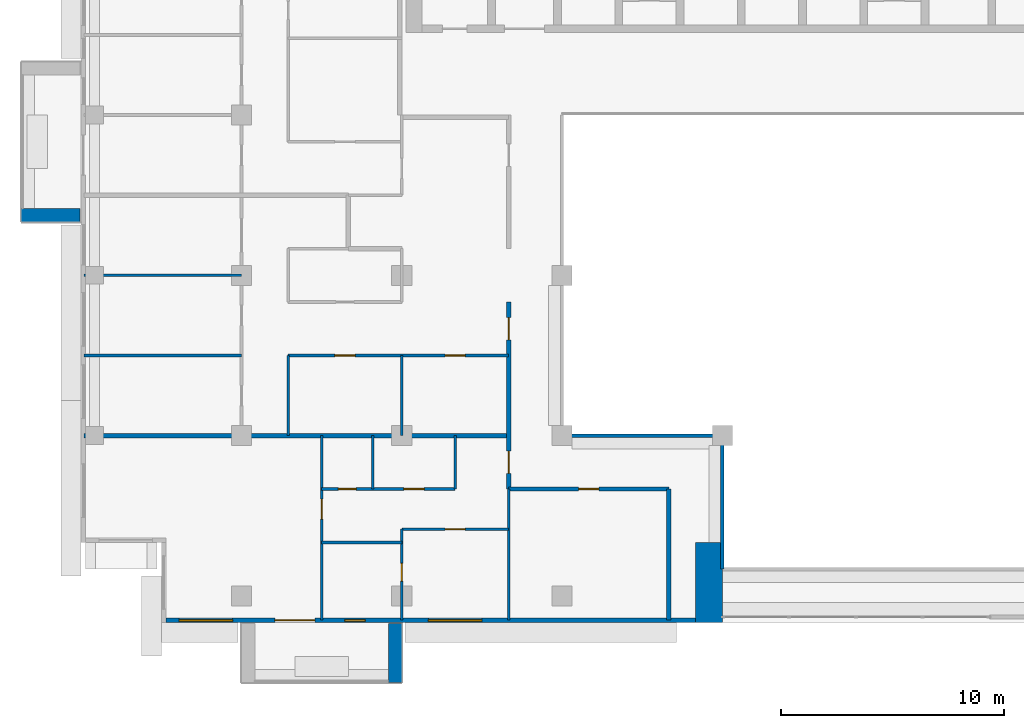
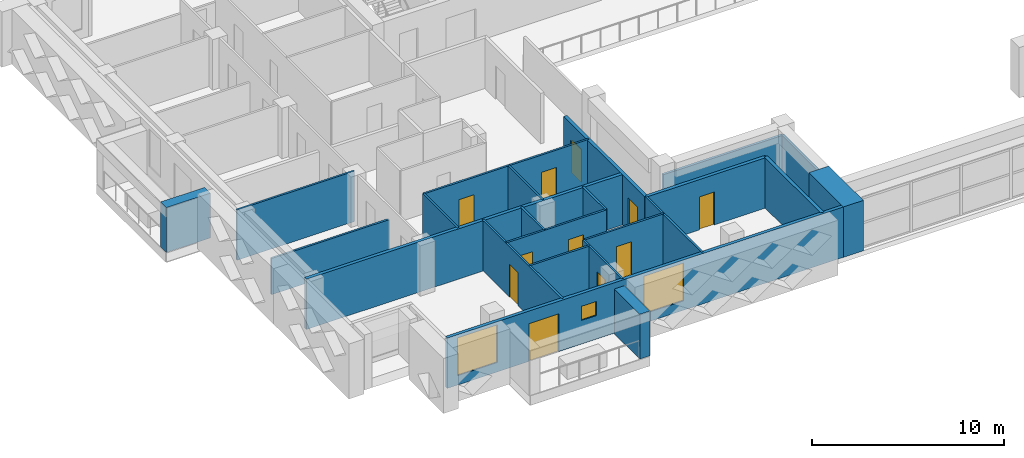
# One storey, part 6 of 20: 23 walls, 11 doors, 3 windows, 14 openings.
"""IFC4 building model written with IfcOpenShell, lengths in metres."""

from ifc_helpers import new_model, si_unit, direction, frame, frame_2d, origin, place, context, subcontext, project, spatial, rectangle, extrude, material, layer, layer_set, type_object, element, fill, save


model = new_model("IFC4")

# Units and contexts
model_context = context("Model", 3, precision=1e-05, world=origin(), true_north=direction((0.0, 1.0)))
body_context = subcontext(model_context, "Body", "Model", "MODEL_VIEW")
ifc_project = project(units=[si_unit("LENGTHUNIT", "METRE"), si_unit("AREAUNIT", "SQUARE_METRE"), si_unit("VOLUMEUNIT", "CUBIC_METRE"), si_unit("PLANEANGLEUNIT", "RADIAN"), si_unit("MASSUNIT", "GRAM", prefix="KILO")], contexts=[model_context])

# Site, building, storey
site_placement = place(None, origin())
site = spatial("IfcSite", under=ifc_project, at=site_placement, CompositionType="ELEMENT")
building_placement = place(site_placement, origin())
building = spatial("IfcBuilding", under=site, at=building_placement, Name="Saffron Iwan Residences", CompositionType="ELEMENT")
storey_placement = place(building_placement, frame((0.0, 0.0, 188.5)))
storey = spatial("IfcBuildingStorey", under=building, at=storey_placement, Name="L50", CompositionType="ELEMENT", Elevation=188.5)

# Walls
ifc_material_1 = material(Name="Fire-rated glazing", Category="glass")
ifc_layer_1 = layer(ifc_material_1, 0.14990234375)
ifc_layer_set_1 = layer_set([ifc_layer_1], Name="Fire-rated glazing")
wall_type_1 = type_object("IfcWallType", Name="Atrium glazed screen 150", PredefinedType="SOLIDWALL", material=ifc_layer_set_1)
wall_1_placement = place(storey_placement, frame((36.0, 48.0, 0.0), z_axis=(0.0, 0.0, 1.0), x_axis=(1.0, 0.0, 0.0)))
element("IfcWall", 1, at=wall_1_placement, inside=storey, type_object=wall_type_1, Name="W-L50-SCREEN-h48-36", PredefinedType="SOLIDWALL", context=body_context, shape_type="SweptSolid", body=[
    extrude(rectangle(XDim=7.199951171875, YDim=0.14990234375, at=frame_2d((3.60009765625, 0.0))), origin(), (0.0, 0.0, 1.0), 2.300048828125),
])
wall_2_placement = place(storey_placement, frame((43.199951171875, 42.0, 0.0), z_axis=(0.0, 0.0, 1.0), x_axis=(0.0, 1.0, 0.0)))
element("IfcWall", 2, at=wall_2_placement, inside=storey, type_object=wall_type_1, Name="W-L50-SCREEN-v43.2-42", PredefinedType="SOLIDWALL", context=body_context, shape_type="SweptSolid", body=[
    extrude(rectangle(XDim=6.0, YDim=0.14990234375, at=frame_2d((3.0, 0.0))), origin(), (0.0, 0.0, 1.0), 2.300048828125),
])
ifc_material_2 = material(Name="Concrete C50/60 white painted", Category="concrete")
ifc_layer_2 = layer(ifc_material_2, 0.60009765625)
ifc_layer_set_2 = layer_set([ifc_layer_2], Name="Concrete C50/60 white painted")
wall_type_2 = type_object("IfcWallType", Name="BALCONY FIN 600", PredefinedType="SOLIDWALL", material=ifc_layer_set_2)
for number, where, z_axis, x_axis, name in (
    (3, (14.35009765625, 57.89990234375, 0.0), (0.0, 0.0, 1.0), (-1.0, 0.0, 0.0), "Balcony fin L50 F8-0b"),
    (4, (28.5, 39.550048828125, 0.0), (0.0, 0.0, 1.0), (0.0, -1.0, 0.0), "Balcony fin L50 11-0b"),
):
    element("IfcWall", number, at=place(storey_placement, frame(where, z_axis=z_axis, x_axis=x_axis)), inside=storey, type_object=wall_type_2, Name=name, PredefinedType="SOLIDWALL", context=body_context, shape_type="SweptSolid", body=[
        extrude(rectangle(XDim=2.650146484375, YDim=0.60009765625, at=frame_2d((1.3251953125, 0.0))), origin(), (0.0, 0.0, 1.0), 2.85009765625),
    ])

# Wall, openings, door, windows
ifc_material_3 = material(Name="Concrete C40/50", Category="concrete")
ifc_layer_3 = layer(ifc_material_3, 0.199951171875)
ifc_layer_set_3 = layer_set([ifc_layer_3], Name="Concrete C40/50")
wall_type_3 = type_object("IfcWallType", Name="EXTERNAL WALL 200", PredefinedType="SOLIDWALL", material=ifc_layer_set_3)
wall_3_placement = place(storey_placement, frame((18.199951171875, 39.699951171875, 0.0), z_axis=(0.0, 0.0, 1.0), x_axis=(1.0, 0.0, 0.0)))
wall_3 = element("IfcWall", 5, at=wall_3_placement, inside=storey, type_object=wall_type_3, Name="External wall L50 F11.0", PredefinedType="SOLIDWALL", context=body_context, shape_type="SweptSolid", body=[
    extrude(rectangle(XDim=23.800048828125, YDim=0.199951171875, at=frame_2d((11.89990234375, 0.0))), origin(), (0.0, 0.0, 1.0), 3.199951171875),
])
opening_1_placement = place(wall_3_placement, frame((4.89990234375, 0.0, 0.0)))
opening_1 = element("IfcOpeningElement", 6, at=opening_1_placement, cuts=wall_3, Name="Opening BD1", PredefinedType="OPENING", context=body_context, shape_type="SweptSolid", body=[
    extrude(rectangle(XDim=1.800048828125, YDim=2.39990234375, at=frame_2d((0.89990234375, 1.199951171875))), frame((0.0, 0.10986328125, 0.0), z_axis=(0.0, -1.0, 0.0), x_axis=(1.0, 0.0, 0.0)), (0.0, 0.0, 1.0), 0.219970703125),
])
opening_2_placement = place(wall_3_placement, frame((0.60009765625, 0.0, 0.60009765625)))
opening_2 = element("IfcOpeningElement", 7, at=opening_2_placement, cuts=wall_3, Name="Opening W1", PredefinedType="OPENING", context=body_context, shape_type="SweptSolid", body=[
    extrude(rectangle(XDim=2.39990234375, YDim=2.39990234375, at=frame_2d((1.199951171875, 1.199951171875))), frame((0.0, 0.10986328125, 0.0), z_axis=(0.0, -1.0, 0.0), x_axis=(1.0, 0.0, 0.0)), (0.0, 0.0, 1.0), 0.219970703125),
])
opening_3_placement = place(wall_3_placement, frame((11.800048828125, 0.0, 0.60009765625)))
opening_3 = element("IfcOpeningElement", 8, at=opening_3_placement, cuts=wall_3, Name="Opening W1", PredefinedType="OPENING", context=body_context, shape_type="SweptSolid", body=[
    extrude(rectangle(XDim=2.39990234375, YDim=2.39990234375, at=frame_2d((1.199951171875, 1.199951171875))), frame((0.0, 0.10986328125, 0.0), z_axis=(0.0, -1.0, 0.0), x_axis=(1.0, 0.0, 0.0)), (0.0, 0.0, 1.0), 0.219970703125),
])
opening_4_placement = place(wall_3_placement, frame((8.050048828125, 0.0, 1.5)))
opening_4 = element("IfcOpeningElement", 9, at=opening_4_placement, cuts=wall_3, Name="Opening W6", PredefinedType="OPENING", context=body_context, shape_type="SweptSolid", body=[
    extrude(rectangle(XDim=0.89990234375, YDim=0.89990234375, at=frame_2d((0.449951171875, 0.449951171875))), frame((0.0, 0.10986328125, 0.0), z_axis=(0.0, -1.0, 0.0), x_axis=(1.0, 0.0, 0.0)), (0.0, 0.0, 1.0), 0.219970703125),
])
ifc_material_4 = material(Name="Clear glass, laminated double glazed", Category="glass")
door_type_1 = type_object("IfcDoorType", Name="BALCONY DOOR 1800 x 2400", OperationType="DOUBLE_DOOR_SLIDING", PredefinedType="DOOR", material=ifc_material_4)
door_1_placement = place(opening_1_placement, origin())
door_1 = element("IfcDoor", 10, at=door_1_placement, inside=storey, type_object=door_type_1, Name="Balcony door L50 F11.0", OperationType="DOUBLE_DOOR_SLIDING", OverallHeight=2.39990234375, OverallWidth=1.800048828125, PredefinedType="DOOR", context=body_context, shape_type="SweptSolid", body=[
    extrude(rectangle(XDim=1.800048828125, YDim=2.39990234375, at=frame_2d((0.89990234375, 1.199951171875))), frame((0.0, 0.02490234375, 0.0), z_axis=(0.0, -1.0, 0.0), x_axis=(1.0, 0.0, 0.0)), (0.0, 0.0, 1.0), 0.050048828125),
])
fill(opening_1, door_1)
window_type_1 = type_object("IfcWindowType", Name="WINDOW 2400 x 2400", PartitioningType="DOUBLE_PANEL_VERTICAL", PredefinedType="WINDOW", material=ifc_material_4)
window_1_placement = place(opening_2_placement, origin())
window_1 = element("IfcWindow", 11, at=window_1_placement, inside=storey, type_object=window_type_1, Name="Window L50 F11.1", OverallHeight=2.39990234375, OverallWidth=2.39990234375, PartitioningType="DOUBLE_PANEL_VERTICAL", PredefinedType="WINDOW", context=body_context, shape_type="SweptSolid", body=[
    extrude(rectangle(XDim=2.39990234375, YDim=2.39990234375, at=frame_2d((1.199951171875, 1.199951171875))), frame((0.0, 0.030029296875, 0.0), z_axis=(0.0, -1.0, 0.0), x_axis=(1.0, 0.0, 0.0)), (0.0, 0.0, 1.0), 0.06005859375),
])
fill(opening_2, window_1)
window_2_placement = place(opening_3_placement, origin())
window_2 = element("IfcWindow", 12, at=window_2_placement, inside=storey, type_object=window_type_1, Name="Window L50 F11.2", OverallHeight=2.39990234375, OverallWidth=2.39990234375, PartitioningType="DOUBLE_PANEL_VERTICAL", PredefinedType="WINDOW", context=body_context, shape_type="SweptSolid", body=[
    extrude(rectangle(XDim=2.39990234375, YDim=2.39990234375, at=frame_2d((1.199951171875, 1.199951171875))), frame((0.0, 0.030029296875, 0.0), z_axis=(0.0, -1.0, 0.0), x_axis=(1.0, 0.0, 0.0)), (0.0, 0.0, 1.0), 0.06005859375),
])
fill(opening_3, window_2)
window_type_2 = type_object("IfcWindowType", Name="WINDOW 900 x 900 BATH", PartitioningType="SINGLE_PANEL", PredefinedType="WINDOW", material=ifc_material_4)
window_3_placement = place(opening_4_placement, origin())
window_3 = element("IfcWindow", 13, at=window_3_placement, inside=storey, type_object=window_type_2, Name="Window L50 F11.3", OverallHeight=0.89990234375, OverallWidth=0.89990234375, PartitioningType="SINGLE_PANEL", PredefinedType="WINDOW", context=body_context, shape_type="SweptSolid", body=[
    extrude(rectangle(XDim=0.89990234375, YDim=0.89990234375, at=frame_2d((0.449951171875, 0.449951171875))), frame((0.0, 0.030029296875, 0.0), z_axis=(0.0, -1.0, 0.0), x_axis=(1.0, 0.0, 0.0)), (0.0, 0.0, 1.0), 0.06005859375),
])
fill(opening_4, window_3)

# Walls
ifc_material_5 = material(Name="Fire-rated gypsum board wall")
ifc_layer_4 = layer(ifc_material_5, 0.199951171875)
ifc_layer_set_4 = layer_set([ifc_layer_4], Name="Fire-rated gypsum board wall")
wall_type_4 = type_object("IfcWallType", Name="Flat demising wall 200", PredefinedType="SOLIDWALL", material=ifc_layer_set_4)
wall_4_placement = place(storey_placement, frame((14.52490234375, 48.0, 0.0), z_axis=(0.0, 0.0, 1.0), x_axis=(1.0, 0.0, 0.0)))
element("IfcWall", 14, at=wall_4_placement, inside=storey, type_object=wall_type_4, Name="W-L50-DEMISE-h48-14.525", PredefinedType="SOLIDWALL", context=body_context, shape_type="SweptSolid", body=[
    extrude(rectangle(XDim=19.0751953125, YDim=0.199951171875, at=frame_2d((9.53759765625, 0.0))), origin(), (0.0, 0.0, 1.0), 3.199951171875),
])
ifc_material_6 = material(Name="Gypsum board partition")
ifc_layer_5 = layer(ifc_material_6, 0.1201171875)
ifc_layer_set_5 = layer_set([ifc_layer_5], Name="Gypsum board partition")
wall_type_5 = type_object("IfcWallType", Name="Flat partition 120", PredefinedType="PARTITIONING", material=ifc_layer_set_5)
wall_5_placement = place(storey_placement, frame((25.199951171875, 43.199951171875, 0.0), z_axis=(0.0, 0.0, 1.0), x_axis=(1.0, 0.0, 0.0)))
element("IfcWall", 15, at=wall_5_placement, inside=storey, type_object=wall_type_5, Name="W-L50-PART-h43.2-25.2", PredefinedType="PARTITIONING", context=body_context, shape_type="SweptSolid", body=[
    extrude(rectangle(XDim=3.60009765625, YDim=0.1201171875, at=frame_2d((1.800048828125, 0.0))), origin(), (0.0, 0.0, 1.0), 3.199951171875),
])

# Wall, opening, door
wall_6_placement = place(storey_placement, frame((28.800048828125, 43.800048828125, 0.0), z_axis=(0.0, 0.0, 1.0), x_axis=(1.0, 0.0, 0.0)))
wall_6 = element("IfcWall", 16, at=wall_6_placement, inside=storey, type_object=wall_type_5, Name="W-L50-PART-h43.8-28.8", PredefinedType="PARTITIONING", context=body_context, shape_type="SweptSolid", body=[
    extrude(rectangle(XDim=4.800048828125, YDim=0.1201171875, at=frame_2d((2.39990234375, 0.0))), origin(), (0.0, 0.0, 1.0), 3.199951171875),
])
opening_5_placement = place(wall_6_placement, frame((1.949951171875, 0.0, 0.0)))
opening_5 = element("IfcOpeningElement", 17, at=opening_5_placement, cuts=wall_6, Name="Opening FD2", PredefinedType="OPENING", context=body_context, shape_type="SweptSolid", body=[
    extrude(rectangle(XDim=0.89990234375, YDim=2.10009765625, at=frame_2d((0.449951171875, 1.050048828125))), frame((0.0, 0.070068359375, 0.0), z_axis=(0.0, -1.0, 0.0), x_axis=(1.0, 0.0, 0.0)), (0.0, 0.0, 1.0), 0.14013671875),
])
ifc_material_7 = material(Name="Timber door", Category="wood")
door_type_2 = type_object("IfcDoorType", Name="Flat door 900", OperationType="NOTDEFINED", PredefinedType="DOOR", material=ifc_material_7)
door_2_placement = place(opening_5_placement, origin())
door_2 = element("IfcDoor", 18, at=door_2_placement, inside=storey, type_object=door_type_2, Name="Door L50-003", OperationType="SINGLE_SWING_LEFT", OverallHeight=2.10009765625, OverallWidth=0.89990234375, PredefinedType="DOOR", context=body_context, shape_type="SweptSolid", body=[
    extrude(rectangle(XDim=0.89990234375, YDim=2.10009765625, at=frame_2d((0.449951171875, 1.050048828125))), frame((0.0, 0.02490234375, 0.0), z_axis=(0.0, -1.0, 0.0), x_axis=(1.0, 0.0, 0.0)), (0.0, 0.0, 1.0), 0.050048828125),
])
fill(opening_5, door_2)

# Wall, openings, doors
wall_7_placement = place(storey_placement, frame((25.199951171875, 45.60009765625, 0.0), z_axis=(0.0, 0.0, 1.0), x_axis=(1.0, 0.0, 0.0)))
wall_7 = element("IfcWall", 19, at=wall_7_placement, inside=storey, type_object=wall_type_5, Name="W-L50-PART-h45.6-25.2", PredefinedType="PARTITIONING", context=body_context, shape_type="SweptSolid", body=[
    extrude(rectangle(XDim=6.0, YDim=0.1201171875, at=frame_2d((3.0, 0.0))), origin(), (0.0, 0.0, 1.0), 3.199951171875),
])
opening_6_placement = place(wall_7_placement, frame((0.75, 0.0, 0.0)))
opening_6 = element("IfcOpeningElement", 20, at=opening_6_placement, cuts=wall_7, Name="Opening FD3", PredefinedType="OPENING", context=body_context, shape_type="SweptSolid", body=[
    extrude(rectangle(XDim=0.800048828125, YDim=2.10009765625, at=frame_2d((0.39990234375, 1.050048828125))), frame((0.0, 0.070068359375, 0.0), z_axis=(0.0, -1.0, 0.0), x_axis=(1.0, 0.0, 0.0)), (0.0, 0.0, 1.0), 0.14013671875),
])
opening_7_placement = place(wall_7_placement, frame((3.699951171875, 0.0, 0.0)))
opening_7 = element("IfcOpeningElement", 21, at=opening_7_placement, cuts=wall_7, Name="Opening FD2", PredefinedType="OPENING", context=body_context, shape_type="SweptSolid", body=[
    extrude(rectangle(XDim=0.89990234375, YDim=2.10009765625, at=frame_2d((0.449951171875, 1.050048828125))), frame((0.0, 0.070068359375, 0.0), z_axis=(0.0, -1.0, 0.0), x_axis=(1.0, 0.0, 0.0)), (0.0, 0.0, 1.0), 0.14013671875),
])
door_type_3 = type_object("IfcDoorType", Name="Bathroom door 800", OperationType="NOTDEFINED", PredefinedType="DOOR", material=ifc_material_7)
door_3_placement = place(opening_6_placement, origin())
door_3 = element("IfcDoor", 22, at=door_3_placement, inside=storey, type_object=door_type_3, Name="Door L50-005", OperationType="SINGLE_SWING_RIGHT", OverallHeight=2.10009765625, OverallWidth=0.800048828125, PredefinedType="DOOR", context=body_context, shape_type="SweptSolid", body=[
    extrude(rectangle(XDim=0.800048828125, YDim=2.10009765625, at=frame_2d((0.39990234375, 1.050048828125))), frame((0.0, 0.02490234375, 0.0), z_axis=(0.0, -1.0, 0.0), x_axis=(1.0, 0.0, 0.0)), (0.0, 0.0, 1.0), 0.050048828125),
])
fill(opening_6, door_3)
door_4_placement = place(opening_7_placement, origin())
door_4 = element("IfcDoor", 23, at=door_4_placement, inside=storey, type_object=door_type_2, Name="Door L50-006", OperationType="SINGLE_SWING_LEFT", OverallHeight=2.10009765625, OverallWidth=0.89990234375, PredefinedType="DOOR", context=body_context, shape_type="SweptSolid", body=[
    extrude(rectangle(XDim=0.89990234375, YDim=2.10009765625, at=frame_2d((0.449951171875, 1.050048828125))), frame((0.0, 0.02490234375, 0.0), z_axis=(0.0, -1.0, 0.0), x_axis=(1.0, 0.0, 0.0)), (0.0, 0.0, 1.0), 0.050048828125),
])
fill(opening_7, door_4)

# Wall
wall_8_placement = place(storey_placement, frame((14.52490234375, 51.60009765625, 0.0), z_axis=(0.0, 0.0, 1.0), x_axis=(1.0, 0.0, 0.0)))
element("IfcWall", 24, at=wall_8_placement, inside=storey, type_object=wall_type_5, Name="W-L50-PART-h51.6-14.525", PredefinedType="PARTITIONING", context=body_context, shape_type="SweptSolid", body=[
    extrude(rectangle(XDim=7.0751953125, YDim=0.1201171875, at=frame_2d((3.53759765625, 0.0))), origin(), (0.0, 0.0, 1.0), 2.300048828125),
])

# Wall, openings, doors
wall_9_placement = place(storey_placement, frame((23.699951171875, 51.60009765625, 0.0), z_axis=(0.0, 0.0, 1.0), x_axis=(1.0, 0.0, 0.0)))
wall_9 = element("IfcWall", 25, at=wall_9_placement, inside=storey, type_object=wall_type_5, Name="W-L50-PART-h51.6-23.7", PredefinedType="PARTITIONING", context=body_context, shape_type="SweptSolid", body=[
    extrude(rectangle(XDim=9.900146484375, YDim=0.1201171875, at=frame_2d((4.9501953125, 0.0))), origin(), (0.0, 0.0, 1.0), 3.199951171875),
])
opening_8_placement = place(wall_9_placement, frame((2.10009765625, 0.0, 0.0)))
opening_8 = element("IfcOpeningElement", 26, at=opening_8_placement, cuts=wall_9, Name="Opening FD2", PredefinedType="OPENING", context=body_context, shape_type="SweptSolid", body=[
    extrude(rectangle(XDim=0.89990234375, YDim=2.10009765625, at=frame_2d((0.449951171875, 1.050048828125))), frame((0.0, 0.070068359375, 0.0), z_axis=(0.0, -1.0, 0.0), x_axis=(1.0, 0.0, 0.0)), (0.0, 0.0, 1.0), 0.14013671875),
])
opening_9_placement = place(wall_9_placement, frame((7.050048828125, 0.0, 0.0)))
opening_9 = element("IfcOpeningElement", 27, at=opening_9_placement, cuts=wall_9, Name="Opening FD2", PredefinedType="OPENING", context=body_context, shape_type="SweptSolid", body=[
    extrude(rectangle(XDim=0.89990234375, YDim=2.10009765625, at=frame_2d((0.449951171875, 1.050048828125))), frame((0.0, 0.070068359375, 0.0), z_axis=(0.0, -1.0, 0.0), x_axis=(1.0, 0.0, 0.0)), (0.0, 0.0, 1.0), 0.14013671875),
])
door_5_placement = place(opening_8_placement, origin())
door_5 = element("IfcDoor", 28, at=door_5_placement, inside=storey, type_object=door_type_2, Name="Door L50-012", OperationType="SINGLE_SWING_LEFT", OverallHeight=2.10009765625, OverallWidth=0.89990234375, PredefinedType="DOOR", context=body_context, shape_type="SweptSolid", body=[
    extrude(rectangle(XDim=0.89990234375, YDim=2.10009765625, at=frame_2d((0.449951171875, 1.050048828125))), frame((0.0, 0.02490234375, 0.0), z_axis=(0.0, -1.0, 0.0), x_axis=(1.0, 0.0, 0.0)), (0.0, 0.0, 1.0), 0.050048828125),
])
fill(opening_8, door_5)
door_6_placement = place(opening_9_placement, origin())
door_6 = element("IfcDoor", 29, at=door_6_placement, inside=storey, type_object=door_type_2, Name="Door L50-014", OperationType="SINGLE_SWING_RIGHT", OverallHeight=2.10009765625, OverallWidth=0.89990234375, PredefinedType="DOOR", context=body_context, shape_type="SweptSolid", body=[
    extrude(rectangle(XDim=0.89990234375, YDim=2.10009765625, at=frame_2d((0.449951171875, 1.050048828125))), frame((0.0, 0.02490234375, 0.0), z_axis=(0.0, -1.0, 0.0), x_axis=(1.0, 0.0, 0.0)), (0.0, 0.0, 1.0), 0.050048828125),
])
fill(opening_9, door_6)

# Walls
wall_10_placement = place(storey_placement, frame((14.52490234375, 55.199951171875, 0.0), z_axis=(0.0, 0.0, 1.0), x_axis=(1.0, 0.0, 0.0)))
element("IfcWall", 30, at=wall_10_placement, inside=storey, type_object=wall_type_5, Name="W-L50-PART-h55.2-14.525", PredefinedType="PARTITIONING", context=body_context, shape_type="SweptSolid", body=[
    extrude(rectangle(XDim=7.0751953125, YDim=0.1201171875, at=frame_2d((3.53759765625, 0.0))), origin(), (0.0, 0.0, 1.0), 3.199951171875),
])
wall_11_placement = place(storey_placement, frame((23.699951171875, 48.0, 0.0), z_axis=(0.0, 0.0, 1.0), x_axis=(0.0, 1.0, 0.0)))
element("IfcWall", 31, at=wall_11_placement, inside=storey, type_object=wall_type_5, Name="W-L50-PART-v23.7-48", PredefinedType="PARTITIONING", context=body_context, shape_type="SweptSolid", body=[
    extrude(rectangle(XDim=3.60009765625, YDim=0.1201171875, at=frame_2d((1.800048828125, 0.0))), origin(), (0.0, 0.0, 1.0), 3.199951171875),
])

# Wall, opening, door
wall_12_placement = place(storey_placement, frame((25.199951171875, 39.72509765625, 0.0), z_axis=(0.0, 0.0, 1.0), x_axis=(0.0, 1.0, 0.0)))
wall_12 = element("IfcWall", 32, at=wall_12_placement, inside=storey, type_object=wall_type_5, Name="W-L50-PART-v25.2-39.725", PredefinedType="PARTITIONING", context=body_context, shape_type="SweptSolid", body=[
    extrude(rectangle(XDim=8.27490234375, YDim=0.1201171875, at=frame_2d((4.137451171875, 0.0))), origin(), (0.0, 0.0, 1.0), 3.199951171875),
])
opening_10_placement = place(wall_12_placement, frame((4.52490234375, 0.0, 0.0)))
opening_10 = element("IfcOpeningElement", 33, at=opening_10_placement, cuts=wall_12, Name="Opening FD2", PredefinedType="OPENING", context=body_context, shape_type="SweptSolid", body=[
    extrude(rectangle(XDim=0.89990234375, YDim=2.10009765625, at=frame_2d((0.449951171875, 1.050048828125))), frame((0.0, 0.070068359375, 0.0), z_axis=(0.0, -1.0, 0.0), x_axis=(1.0, 0.0, 0.0)), (0.0, 0.0, 1.0), 0.14013671875),
])
door_7_placement = place(opening_10_placement, origin())
door_7 = element("IfcDoor", 34, at=door_7_placement, inside=storey, type_object=door_type_2, Name="Door L50-002", OperationType="SINGLE_SWING_RIGHT", OverallHeight=2.10009765625, OverallWidth=0.89990234375, PredefinedType="DOOR", context=body_context, shape_type="SweptSolid", body=[
    extrude(rectangle(XDim=0.89990234375, YDim=2.10009765625, at=frame_2d((0.449951171875, 1.050048828125))), frame((0.0, 0.02490234375, 0.0), z_axis=(0.0, -1.0, 0.0), x_axis=(1.0, 0.0, 0.0)), (0.0, 0.0, 1.0), 0.050048828125),
])
fill(opening_10, door_7)

# Wall
wall_13_placement = place(storey_placement, frame((27.5, 45.60009765625, 0.0), z_axis=(0.0, 0.0, 1.0), x_axis=(0.0, 1.0, 0.0)))
element("IfcWall", 35, at=wall_13_placement, inside=storey, type_object=wall_type_5, Name="W-L50-PART-v27.5-45.6", PredefinedType="PARTITIONING", context=body_context, shape_type="SweptSolid", body=[
    extrude(rectangle(XDim=2.39990234375, YDim=0.1201171875, at=frame_2d((1.199951171875, 0.0))), origin(), (0.0, 0.0, 1.0), 3.199951171875),
])

# Wall, opening, door
wall_14_placement = place(storey_placement, frame((28.800048828125, 39.72509765625, 0.0), z_axis=(0.0, 0.0, 1.0), x_axis=(0.0, 1.0, 0.0)))
wall_14 = element("IfcWall", 36, at=wall_14_placement, inside=storey, type_object=wall_type_5, Name="W-L50-PART-v28.8-39.725", PredefinedType="PARTITIONING", context=body_context, shape_type="SweptSolid", body=[
    extrude(rectangle(XDim=4.074951171875, YDim=0.1201171875, at=frame_2d((2.03759765625, 0.0))), origin(), (0.0, 0.0, 1.0), 3.199951171875),
])
opening_11_placement = place(wall_14_placement, frame((1.737548828125, 0.0, 0.0)))
opening_11 = element("IfcOpeningElement", 37, at=opening_11_placement, cuts=wall_14, Name="Opening FD3", PredefinedType="OPENING", context=body_context, shape_type="SweptSolid", body=[
    extrude(rectangle(XDim=0.800048828125, YDim=2.10009765625, at=frame_2d((0.39990234375, 1.050048828125))), frame((0.0, 0.070068359375, 0.0), z_axis=(0.0, -1.0, 0.0), x_axis=(1.0, 0.0, 0.0)), (0.0, 0.0, 1.0), 0.14013671875),
])
door_8_placement = place(opening_11_placement, origin())
door_8 = element("IfcDoor", 38, at=door_8_placement, inside=storey, type_object=door_type_3, Name="Door L50-004", OperationType="SINGLE_SWING_RIGHT", OverallHeight=2.10009765625, OverallWidth=0.800048828125, PredefinedType="DOOR", context=body_context, shape_type="SweptSolid", body=[
    extrude(rectangle(XDim=0.800048828125, YDim=2.10009765625, at=frame_2d((0.39990234375, 1.050048828125))), frame((0.0, 0.02490234375, 0.0), z_axis=(0.0, -1.0, 0.0), x_axis=(1.0, 0.0, 0.0)), (0.0, 0.0, 1.0), 0.050048828125),
])
fill(opening_11, door_8)

# Walls
wall_15_placement = place(storey_placement, frame((28.800048828125, 48.0, 0.0), z_axis=(0.0, 0.0, 1.0), x_axis=(0.0, 1.0, 0.0)))
element("IfcWall", 39, at=wall_15_placement, inside=storey, type_object=wall_type_5, Name="W-L50-PART-v28.8-48", PredefinedType="PARTITIONING", context=body_context, shape_type="SweptSolid", body=[
    extrude(rectangle(XDim=3.60009765625, YDim=0.1201171875, at=frame_2d((1.800048828125, 0.0))), origin(), (0.0, 0.0, 1.0), 3.199951171875),
])
wall_16_placement = place(storey_placement, frame((31.199951171875, 45.60009765625, 0.0), z_axis=(0.0, 0.0, 1.0), x_axis=(0.0, 1.0, 0.0)))
element("IfcWall", 40, at=wall_16_placement, inside=storey, type_object=wall_type_5, Name="W-L50-PART-v31.2-45.6", PredefinedType="PARTITIONING", context=body_context, shape_type="SweptSolid", body=[
    extrude(rectangle(XDim=2.39990234375, YDim=0.1201171875, at=frame_2d((1.199951171875, 0.0))), origin(), (0.0, 0.0, 1.0), 3.199951171875),
])
wall_17_placement = place(storey_placement, frame((33.60009765625, 39.72509765625, 0.0), z_axis=(0.0, 0.0, 1.0), x_axis=(0.0, 1.0, 0.0)))
element("IfcWall", 41, at=wall_17_placement, inside=storey, type_object=wall_type_5, Name="W-L50-PART-v33.6-39.725", PredefinedType="PARTITIONING", context=body_context, shape_type="SweptSolid", body=[
    extrude(rectangle(XDim=5.875, YDim=0.1201171875, at=frame_2d((2.9375, 0.0))), origin(), (0.0, 0.0, 1.0), 3.199951171875),
])

# Wall, opening, door
ifc_layer_6 = layer(ifc_material_5, 0.199951171875)
ifc_layer_set_6 = layer_set([ifc_layer_6], Name="Fire-rated gypsum board wall")
wall_type_6 = type_object("IfcWallType", Name="Gallery wall 200", PredefinedType="SOLIDWALL", material=ifc_layer_set_6)
wall_18_placement = place(storey_placement, frame((33.60009765625, 45.60009765625, 0.0), z_axis=(0.0, 0.0, 1.0), x_axis=(1.0, 0.0, 0.0)))
wall_18 = element("IfcWall", 42, at=wall_18_placement, inside=storey, type_object=wall_type_6, Name="W-L50-CORR-h45.6-33.6", PredefinedType="SOLIDWALL", context=body_context, shape_type="SweptSolid", body=[
    extrude(rectangle(XDim=7.199951171875, YDim=0.199951171875, at=frame_2d((3.60009765625, 0.0))), origin(), (0.0, 0.0, 1.0), 3.199951171875),
])
opening_12_placement = place(wall_18_placement, frame((3.14990234375, 0.0, 0.0)))
opening_12 = element("IfcOpeningElement", 43, at=opening_12_placement, cuts=wall_18, Name="Opening FD2", PredefinedType="OPENING", context=body_context, shape_type="SweptSolid", body=[
    extrude(rectangle(XDim=0.89990234375, YDim=2.10009765625, at=frame_2d((0.449951171875, 1.050048828125))), frame((0.0, 0.10986328125, 0.0), z_axis=(0.0, -1.0, 0.0), x_axis=(1.0, 0.0, 0.0)), (0.0, 0.0, 1.0), 0.219970703125),
])
door_9_placement = place(opening_12_placement, origin())
door_9 = element("IfcDoor", 44, at=door_9_placement, inside=storey, type_object=door_type_2, Name="Door L50-007", OperationType="SINGLE_SWING_LEFT", OverallHeight=2.10009765625, OverallWidth=0.89990234375, PredefinedType="DOOR", context=body_context, shape_type="SweptSolid", body=[
    extrude(rectangle(XDim=0.89990234375, YDim=2.10009765625, at=frame_2d((0.449951171875, 1.050048828125))), frame((0.0, 0.02490234375, 0.0), z_axis=(0.0, -1.0, 0.0), x_axis=(1.0, 0.0, 0.0)), (0.0, 0.0, 1.0), 0.050048828125),
])
fill(opening_12, door_9)

# Wall, openings, doors
wall_19_placement = place(storey_placement, frame((33.60009765625, 45.60009765625, 0.0), z_axis=(0.0, 0.0, 1.0), x_axis=(0.0, 1.0, 0.0)))
wall_19 = element("IfcWall", 45, at=wall_19_placement, inside=storey, type_object=wall_type_6, Name="W-L50-CORR-v33.6-45.6", PredefinedType="SOLIDWALL", context=body_context, shape_type="SweptSolid", body=[
    extrude(rectangle(XDim=8.39990234375, YDim=0.199951171875, at=frame_2d((4.199951171875, 0.0))), origin(), (0.0, 0.0, 1.0), 3.199951171875),
])
opening_13_placement = place(wall_19_placement, frame((0.699951171875, 0.0, 0.0)))
opening_13 = element("IfcOpeningElement", 46, at=opening_13_placement, cuts=wall_19, Name="Opening FD1", PredefinedType="OPENING", context=body_context, shape_type="SweptSolid", body=[
    extrude(rectangle(XDim=1.0, YDim=2.10009765625, at=frame_2d((0.5, 1.050048828125))), frame((0.0, 0.10986328125, 0.0), z_axis=(0.0, -1.0, 0.0), x_axis=(1.0, 0.0, 0.0)), (0.0, 0.0, 1.0), 0.219970703125),
])
opening_14_placement = place(wall_19_placement, frame((6.699951171875, 0.0, 0.0)))
opening_14 = element("IfcOpeningElement", 47, at=opening_14_placement, cuts=wall_19, Name="Opening FD1", PredefinedType="OPENING", context=body_context, shape_type="SweptSolid", body=[
    extrude(rectangle(XDim=1.0, YDim=2.10009765625, at=frame_2d((0.5, 1.050048828125))), frame((0.0, 0.10986328125, 0.0), z_axis=(0.0, -1.0, 0.0), x_axis=(1.0, 0.0, 0.0)), (0.0, 0.0, 1.0), 0.219970703125),
])
ifc_material_8 = material(Name="Fire-rated timber door", Category="wood")
door_type_4 = type_object("IfcDoorType", Name="FD30S flat entrance door 1000", OperationType="NOTDEFINED", PredefinedType="DOOR", material=ifc_material_8)
door_10_placement = place(opening_13_placement, origin())
door_10 = element("IfcDoor", 48, at=door_10_placement, inside=storey, type_object=door_type_4, Name="Door L50-001", OperationType="SINGLE_SWING_LEFT", OverallHeight=2.10009765625, OverallWidth=1.0, PredefinedType="DOOR", context=body_context, shape_type="SweptSolid", body=[
    extrude(rectangle(XDim=1.0, YDim=2.10009765625, at=frame_2d((0.5, 1.050048828125))), frame((0.0, 0.02490234375, 0.0), z_axis=(0.0, -1.0, 0.0), x_axis=(1.0, 0.0, 0.0)), (0.0, 0.0, 1.0), 0.050048828125),
])
fill(opening_13, door_10)
door_11_placement = place(opening_14_placement, origin())
door_11 = element("IfcDoor", 49, at=door_11_placement, inside=storey, type_object=door_type_4, Name="Door L50-008", OperationType="SINGLE_SWING_RIGHT", OverallHeight=2.10009765625, OverallWidth=1.0, PredefinedType="DOOR", context=body_context, shape_type="SweptSolid", body=[
    extrude(rectangle(XDim=1.0, YDim=2.10009765625, at=frame_2d((0.5, 1.050048828125))), frame((0.0, 0.02490234375, 0.0), z_axis=(0.0, -1.0, 0.0), x_axis=(1.0, 0.0, 0.0)), (0.0, 0.0, 1.0), 0.050048828125),
])
fill(opening_14, door_11)

# Walls
wall_20_placement = place(storey_placement, frame((40.800048828125, 39.72509765625, 0.0), z_axis=(0.0, 0.0, 1.0), x_axis=(0.0, 1.0, 0.0)))
element("IfcWall", 50, at=wall_20_placement, inside=storey, type_object=wall_type_6, Name="W-L50-CORR-v40.8-39.725", PredefinedType="SOLIDWALL", context=body_context, shape_type="SweptSolid", body=[
    extrude(rectangle(XDim=5.875, YDim=0.199951171875, at=frame_2d((2.9375, 0.0))), origin(), (0.0, 0.0, 1.0), 3.199951171875),
])
ifc_material_9 = material(Name="Concrete C50/60", Category="concrete")
ifc_layer_7 = layer(ifc_material_9, 1.199951171875)
ifc_layer_set_7 = layer_set([ifc_layer_7], Name="Concrete C50/60")
wall_type_7 = type_object("IfcWallType", Name="WALL IWAN PIER 1200 C50/60 3200 HIGH", PredefinedType="SHEAR", material=ifc_layer_set_7)
wall_21_placement = place(storey_placement, frame((42.60009765625, 39.60009765625, 0.0), z_axis=(0.0, 0.0, 1.0), x_axis=(0.0, 1.0, 0.0)))
element("IfcWall", 51, at=wall_21_placement, inside=storey, type_object=wall_type_7, Name="IWAN PIER", PredefinedType="SHEAR", context=body_context, shape_type="SweptSolid", body=[
    extrude(rectangle(XDim=3.599853515625, YDim=1.199951171875, at=frame_2d((1.7998046875, 0.0))), origin(), (0.0, 0.0, 1.0), 3.199951171875),
])

save(model, "model.ifc")
